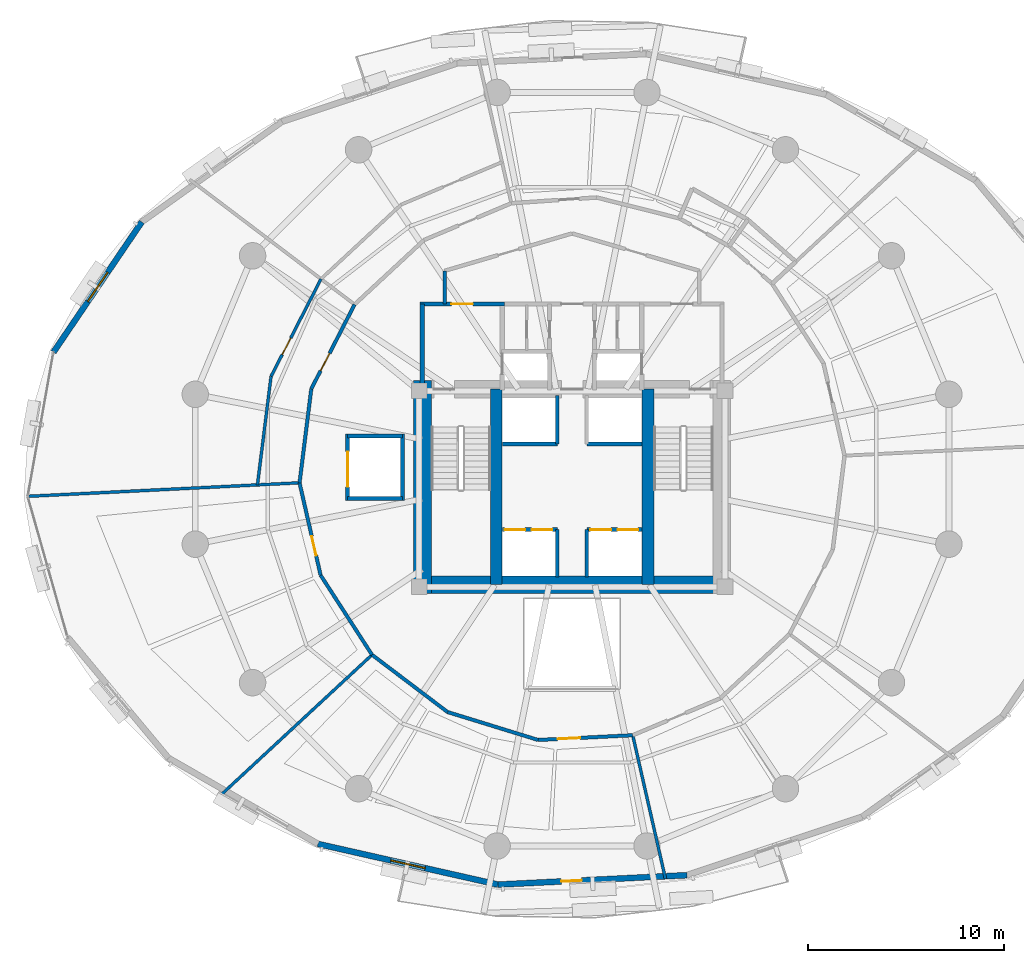
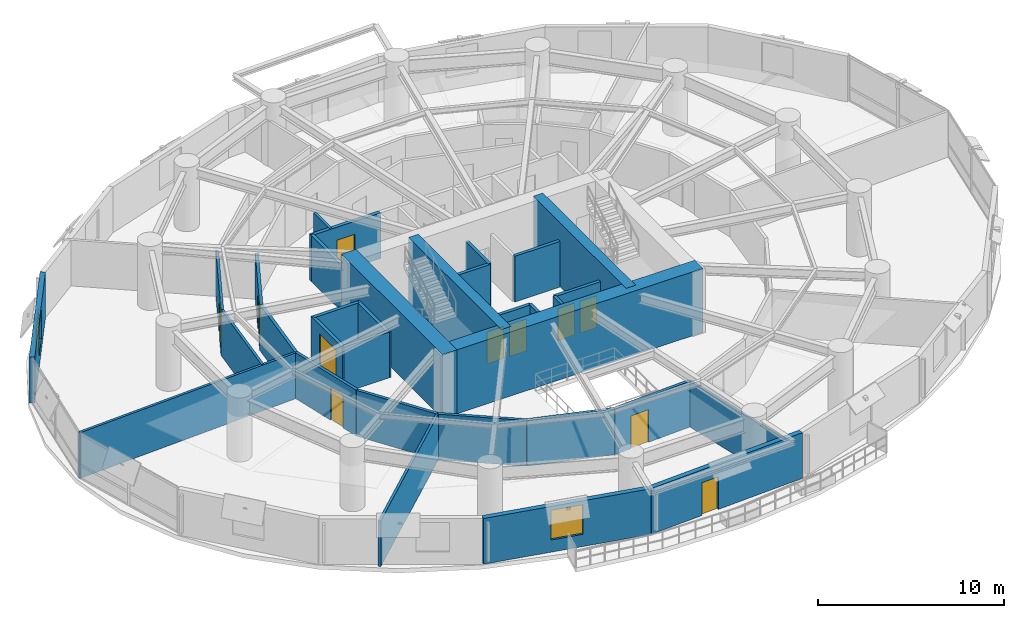
# One storey, part 10 of 16: 33 walls, 11 doors, 2 windows, 13 openings.
"""IFC4 building model written with IfcOpenShell, lengths in metres."""

from ifc_helpers import new_model, si_unit, direction, frame, frame_2d, origin, place, context, subcontext, project, spatial, rectangle, extrude, material, layer, layer_set, type_object, element, fill, save


model = new_model("IFC4")

# Units and contexts
model_context = context("Model", 3, precision=1e-05, world=origin(), true_north=direction((0.0, 1.0)))
body_context = subcontext(model_context, "Body", "Model", "MODEL_VIEW")
ifc_project = project(units=[si_unit("LENGTHUNIT", "METRE"), si_unit("AREAUNIT", "SQUARE_METRE"), si_unit("VOLUMEUNIT", "CUBIC_METRE"), si_unit("PLANEANGLEUNIT", "RADIAN"), si_unit("MASSUNIT", "GRAM", prefix="KILO"), si_unit("THERMODYNAMICTEMPERATUREUNIT", "KELVIN"), si_unit("POWERUNIT", "WATT")], contexts=[model_context])

# Site, building, storey
site_placement = place(None, origin())
site = spatial("IfcSite", under=ifc_project, at=site_placement, CompositionType="ELEMENT")
building_placement = place(site_placement, origin())
building = spatial("IfcBuilding", under=site, at=building_placement, Name="Ocrelia Relay Tower", CompositionType="ELEMENT")
storey_placement = place(building_placement, frame((0.0, 0.0, 42.60009765625)))
storey = spatial("IfcBuildingStorey", under=building, at=storey_placement, Name="L09", CompositionType="ELEMENT", Elevation=42.60009765625)

# Walls
ifc_material_1 = material(Name="Concrete C70/85", Category="concrete")
ifc_layer_1 = layer(ifc_material_1, 0.89990234375, Name="Concrete C70/85")
ifc_layer_set_1 = layer_set([ifc_layer_1], Name="Concrete C70/85")
wall_type_1 = type_object("IfcWallType", Name="CW-CORE-900", PredefinedType="SHEAR", material=ifc_layer_set_1)
wall_1_placement = place(storey_placement, frame((25.922119140625, 20.112060546875, 0.0), z_axis=(0.0, 0.0, 1.0), x_axis=(1.0, 0.0, 0.0)))
element("IfcWall", 1, at=wall_1_placement, inside=storey, type_object=wall_type_1, Name="L09 Core Shear Wall S", PredefinedType="SHEAR", context=body_context, shape_type="SweptSolid", body=[
    extrude(rectangle(XDim=16.165771484375, YDim=0.89990234375, at=frame_2d((8.0830078125, 0.0))), origin(), (0.0, 0.0, 1.0), 4.199951171875),
])
wall_2_placement = place(storey_placement, frame((26.3720703125, 19.662109375, 0.0), z_axis=(0.0, 0.0, 1.0), x_axis=(0.0, 1.0, 0.0)))
element("IfcWall", 2, at=wall_2_placement, inside=storey, type_object=wall_type_1, Name="L09 Core Shear Wall W", PredefinedType="SHEAR", context=body_context, shape_type="SweptSolid", body=[
    extrude(rectangle(XDim=10.8759765625, YDim=0.89990234375, at=frame_2d((5.43798828125, 0.0))), origin(), (0.0, 0.0, 1.0), 4.199951171875),
])
for number, where, z_axis, x_axis, name in (
    (3, (30.137939453125, 20.112060546875, 0.0), (0.0, 0.0, 1.0), (0.0, 1.0, 0.0), "L09 Core Shear Wall SPW"),
    (4, (37.8720703125, 20.112060546875, 0.0), (0.0, 0.0, 1.0), (0.0, 1.0, 0.0), "L09 Core Shear Wall SPE"),
):
    element("IfcWall", number, at=place(storey_placement, frame(where, z_axis=z_axis, x_axis=x_axis)), inside=storey, type_object=wall_type_1, Name=name, PredefinedType="SHEAR", context=body_context, shape_type="SweptSolid", body=[
        extrude(rectangle(XDim=9.975830078125, YDim=0.60009765625, at=frame_2d((4.98779296875, 0.0))), origin(), (0.0, 0.0, 1.0), 4.199951171875),
    ])
ifc_material_2 = material(Name="Gypsum Fireboard Partition EI60", Category="gypsum")
ifc_layer_2 = layer(ifc_material_2, 0.179931640625, Name="Gypsum Fireboard Partition EI60")
ifc_layer_set_2 = layer_set([ifc_layer_2], Name="Gypsum Fireboard Partition EI60")
wall_type_2 = type_object("IfcWallType", Name="W-CORR-EI60-180", PredefinedType="PARTITIONING", material=ifc_layer_set_2)
wall_3_placement = place(storey_placement, frame((27.5, 34.429931640625, 0.0), z_axis=(0.0, 0.0, 1.0), x_axis=(0.0, 1.0, 0.0)))
element("IfcWall", 5, at=wall_3_placement, inside=storey, type_object=wall_type_2, Name="L09 Smoke Lobby West Return", PredefinedType="PARTITIONING", context=body_context, shape_type="SweptSolid", body=[
    extrude(rectangle(XDim=1.69287109375, YDim=0.179931640625, at=frame_2d((0.846435546875, 0.0))), origin(), (0.0, 0.0, 1.0), 3.0),
])

# Wall, opening, door
wall_4_placement = place(storey_placement, frame((22.905029296875, 34.40625, 0.0), z_axis=(0.0, 0.0, 1.0), x_axis=(-0.45634125461, -0.889804843402, 0.0)))
wall_4 = element("IfcWall", 6, at=wall_4_placement, inside=storey, type_object=wall_type_2, Name="L09 Systems Office C Corridor Partition 1", PredefinedType="PARTITIONING", context=body_context, shape_type="SweptSolid", body=[
    extrude(rectangle(XDim=4.834228515625, YDim=0.179931640625, at=frame_2d((2.4169921875, 0.0))), origin(), (0.0, 0.0, 1.0), 3.0),
])
opening_1_placement = place(wall_4_placement, frame((2.80078125, 0.0, 0.0)))
opening_1 = element("IfcOpeningElement", 7, at=opening_1_placement, cuts=wall_4, Name="Opening D-RM100", PredefinedType="OPENING", context=body_context, shape_type="SweptSolid", body=[
    extrude(rectangle(XDim=1.0, YDim=2.14990234375, at=frame_2d((0.5, 1.074951171875))), frame((0.0, 0.10009765625, 0.0), z_axis=(0.0, -1.0, 0.0), x_axis=(1.0, 0.0, 0.0)), (0.0, 0.0, 1.0), 0.199951171875),
])
ifc_material_3 = material(Name="Acoustic oak veneer fire door", Category="wood")
door_type_1 = type_object("IfcDoorType", Name="DR-ROOM-FD60-1000", OperationType="NOTDEFINED", PredefinedType="DOOR", material=ifc_material_3)
door_1_placement = place(opening_1_placement, origin())
door_1 = element("IfcDoor", 8, at=door_1_placement, inside=storey, type_object=door_type_1, Name="L09 Systems Office C Entrance Door", OperationType="SINGLE_SWING_LEFT", OverallHeight=2.14990234375, OverallWidth=1.0, PredefinedType="DOOR", context=body_context, shape_type="SweptSolid", body=[
    extrude(rectangle(XDim=1.0, YDim=2.14990234375, at=frame_2d((0.5, 1.074951171875))), frame((0.0, 0.02490234375, 0.0), z_axis=(0.0, -1.0, 0.0), x_axis=(1.0, 0.0, 0.0)), (0.0, 0.0, 1.0), 0.050048828125),
])
fill(opening_1, door_1)

# Wall
wall_5_placement = place(storey_placement, frame((20.698974609375, 30.104736328125, 0.0), z_axis=(0.0, 0.0, 1.0), x_axis=(-0.124482228692, -0.992221837464, 0.0)))
element("IfcWall", 9, at=wall_5_placement, inside=storey, type_object=wall_type_2, Name="L09 Systems Office C Corridor Partition 2", PredefinedType="PARTITIONING", context=body_context, shape_type="SweptSolid", body=[
    extrude(rectangle(XDim=4.83447265625, YDim=0.179931640625, at=frame_2d((2.417236328125, 0.0))), origin(), (0.0, 0.0, 1.0), 3.0),
])

# Wall, opening, door
wall_6_placement = place(storey_placement, frame((20.09716796875, 25.307861328125, 0.0), z_axis=(0.0, 0.0, 1.0), x_axis=(0.222402444604, -0.974954949028, 0.0)))
wall_6 = element("IfcWall", 10, at=wall_6_placement, inside=storey, type_object=wall_type_2, Name="L09 Routing Office D Corridor Partition 1", PredefinedType="PARTITIONING", context=body_context, shape_type="SweptSolid", body=[
    extrude(rectangle(XDim=4.83447265625, YDim=0.179931640625, at=frame_2d((2.417236328125, 0.0))), origin(), (0.0, 0.0, 1.0), 3.0),
])
opening_2_placement = place(wall_6_placement, frame((2.80078125, 0.0, 0.0)))
opening_2 = element("IfcOpeningElement", 11, at=opening_2_placement, cuts=wall_6, Name="Opening D-RM100", PredefinedType="OPENING", context=body_context, shape_type="SweptSolid", body=[
    extrude(rectangle(XDim=1.0, YDim=2.14990234375, at=frame_2d((0.5, 1.074951171875))), frame((0.0, 0.10009765625, 0.0), z_axis=(0.0, -1.0, 0.0), x_axis=(1.0, 0.0, 0.0)), (0.0, 0.0, 1.0), 0.199951171875),
])
door_2_placement = place(opening_2_placement, origin())
door_2 = element("IfcDoor", 12, at=door_2_placement, inside=storey, type_object=door_type_1, Name="L09 Routing Office D Entrance Door", OperationType="SINGLE_SWING_LEFT", OverallHeight=2.14990234375, OverallWidth=1.0, PredefinedType="DOOR", context=body_context, shape_type="SweptSolid", body=[
    extrude(rectangle(XDim=1.0, YDim=2.14990234375, at=frame_2d((0.5, 1.074951171875))), frame((0.0, 0.02490234375, 0.0), z_axis=(0.0, -1.0, 0.0), x_axis=(1.0, 0.0, 0.0)), (0.0, 0.0, 1.0), 0.050048828125),
])
fill(opening_2, door_2)

# Walls
for number, where, z_axis, x_axis, name in (
    (13, (21.17236328125, 20.594482421875, 0.0), (0.0, 0.0, 1.0), (0.542438562589, -0.840095474227, 0.0), "L09 Routing Office D Corridor Partition 2"),
    (14, (23.794677734375, 16.533203125, 0.0), (0.0, 0.0, 1.0), (0.797063419799, -0.60389560755, 0.0), "L09 Colocation Data Hall A Corridor Partition 1"),
    (15, (27.64794921875, 13.61376953125, 0.0), (0.0, 0.0, 1.0), (0.95553518292, -0.294877117122, 0.0), "L09 Colocation Data Hall A Corridor Partition 2"),
):
    element("IfcWall", number, at=place(storey_placement, frame(where, z_axis=z_axis, x_axis=x_axis)), inside=storey, type_object=wall_type_2, Name=name, PredefinedType="PARTITIONING", context=body_context, shape_type="SweptSolid", body=[
        extrude(rectangle(XDim=4.834228515625, YDim=0.179931640625, at=frame_2d((2.4169921875, 0.0))), origin(), (0.0, 0.0, 1.0), 3.0),
    ])

# Wall, opening, door
wall_7_placement = place(storey_placement, frame((32.267333984375, 12.188232421875, 0.0), z_axis=(0.0, 0.0, 1.0), x_axis=(0.998762017283, 0.049743671286, 0.0)))
wall_7 = element("IfcWall", 16, at=wall_7_placement, inside=storey, type_object=wall_type_2, Name="L09 Colocation Data Hall A Corridor Partition 3", PredefinedType="PARTITIONING", context=body_context, shape_type="SweptSolid", body=[
    extrude(rectangle(XDim=4.83447265625, YDim=0.179931640625, at=frame_2d((2.417236328125, 0.0))), origin(), (0.0, 0.0, 1.0), 3.0),
])
opening_3_placement = place(wall_7_placement, frame((0.99609375, 0.0, 0.0)))
opening_3 = element("IfcOpeningElement", 17, at=opening_3_placement, cuts=wall_7, Name="Opening D-RM115", PredefinedType="OPENING", context=body_context, shape_type="SweptSolid", body=[
    extrude(rectangle(XDim=1.14990234375, YDim=2.14990234375, at=frame_2d((0.574951171875, 1.074951171875))), frame((0.0, 0.10009765625, 0.0), z_axis=(0.0, -1.0, 0.0), x_axis=(1.0, 0.0, 0.0)), (0.0, 0.0, 1.0), 0.199951171875),
])
ifc_material_4 = material(Name="Wide acoustic oak veneer fire door", Category="wood")
door_type_2 = type_object("IfcDoorType", Name="DR-ROOM-1150", OperationType="NOTDEFINED", PredefinedType="DOOR", material=ifc_material_4)
door_3_placement = place(opening_3_placement, origin())
door_3 = element("IfcDoor", 18, at=door_3_placement, inside=storey, type_object=door_type_2, Name="L09 Colocation Data Hall A Entrance Door", OperationType="SINGLE_SWING_RIGHT", OverallHeight=2.14990234375, OverallWidth=1.14990234375, PredefinedType="DOOR", context=body_context, shape_type="SweptSolid", body=[
    extrude(rectangle(XDim=1.14990234375, YDim=2.14990234375, at=frame_2d((0.574951171875, 1.074951171875))), frame((0.0, 0.02490234375, 0.0), z_axis=(0.0, -1.0, 0.0), x_axis=(1.0, 0.0, 0.0)), (0.0, 0.0, 1.0), 0.050048828125),
])
fill(opening_3, door_3)

# Wall, opening, window
ifc_material_5 = material(Name="Precast concrete C40/50 with oxide terracotta", Category="masonry")
ifc_layer_3 = layer(ifc_material_5, 0.300048828125, Name="Precast concrete C40/50 with oxide terracotta")
ifc_layer_set_3 = layer_set([ifc_layer_3], Name="Precast concrete C40/50 with oxide terracotta")
wall_type_3 = type_object("IfcWallType", Name="W-EXT-TERR-300", PredefinedType="SOLIDWALL", material=ifc_layer_set_3)
wall_8_placement = place(storey_placement, frame((12.049560546875, 38.615478515625, 0.0), z_axis=(0.0, 0.0, 1.0), x_axis=(-0.561354786865, -0.827575255348, 0.0)))
wall_8 = element("IfcWall", 19, at=wall_8_placement, inside=storey, type_object=wall_type_3, Name="L09 Oxide Terracotta Facade Wall 08", PredefinedType="SOLIDWALL", context=body_context, shape_type="SweptSolid", body=[
    extrude(rectangle(XDim=8.021484375, YDim=0.300048828125, at=frame_2d((4.0107421875, 0.0))), origin(), (0.0, 0.0, 1.0), 3.0),
])
opening_4_placement = place(wall_8_placement, frame((3.111083984375, 0.0, 0.800048828125)))
opening_4 = element("IfcOpeningElement", 20, at=opening_4_placement, cuts=wall_8, Name="Opening W-02", PredefinedType="OPENING", context=body_context, shape_type="SweptSolid", body=[
    extrude(rectangle(XDim=1.800048828125, YDim=1.949951171875, at=frame_2d((0.89990234375, 0.97509765625))), frame((0.0, 0.16015625, 0.0), z_axis=(0.0, -1.0, 0.0), x_axis=(1.0, 0.0, 0.0)), (0.0, 0.0, 1.0), 0.320068359375),
])
ifc_material_6 = material(Name="Clear double-glazed low-E glass", Category="glass")
window_type = type_object("IfcWindowType", Name="WIN-Z1-1800x2100", PartitioningType="DOUBLE_PANEL_VERTICAL", PredefinedType="WINDOW", material=ifc_material_6)
window_1_placement = place(opening_4_placement, origin())
window_1 = element("IfcWindow", 21, at=window_1_placement, inside=storey, type_object=window_type, Name="L09 Facade Module Window 08", OverallHeight=1.949951171875, OverallWidth=1.800048828125, PartitioningType="SINGLE_PANEL", PredefinedType="WINDOW", context=body_context, shape_type="SweptSolid", body=[
    extrude(rectangle(XDim=1.800048828125, YDim=1.949951171875, at=frame_2d((0.89990234375, 0.97509765625))), frame((0.0, 0.030029296875, 0.0), z_axis=(0.0, -1.0, 0.0), x_axis=(1.0, 0.0, 0.0)), (0.0, 0.0, 1.0), 0.06005859375),
])
fill(opening_4, window_1)

wall_9_placement = place(storey_placement, frame((21.034423828125, 6.88525390625, 0.0), z_axis=(0.0, 0.0, 1.0), x_axis=(0.975413687515, -0.22038180099, 0.0)))
wall_9 = element("IfcWall", 22, at=wall_9_placement, inside=storey, type_object=wall_type_3, Name="L09 Oxide Terracotta Facade Wall 13", PredefinedType="SOLIDWALL", context=body_context, shape_type="SweptSolid", body=[
    extrude(rectangle(XDim=9.418701171875, YDim=0.300048828125, at=frame_2d((4.70947265625, 0.0))), origin(), (0.0, 0.0, 1.0), 3.0),
])
opening_5_placement = place(wall_9_placement, frame((3.80908203125, 0.0, 0.800048828125)))
opening_5 = element("IfcOpeningElement", 23, at=opening_5_placement, cuts=wall_9, Name="Opening W-02", PredefinedType="OPENING", context=body_context, shape_type="SweptSolid", body=[
    extrude(rectangle(XDim=1.800048828125, YDim=1.949951171875, at=frame_2d((0.89990234375, 0.97509765625))), frame((0.0, 0.16015625, 0.0), z_axis=(0.0, -1.0, 0.0), x_axis=(1.0, 0.0, 0.0)), (0.0, 0.0, 1.0), 0.320068359375),
])
window_2_placement = place(opening_5_placement, origin())
window_2 = element("IfcWindow", 24, at=window_2_placement, inside=storey, type_object=window_type, Name="L09 Facade Module Window 13", OverallHeight=1.949951171875, OverallWidth=1.800048828125, PartitioningType="SINGLE_PANEL", PredefinedType="WINDOW", context=body_context, shape_type="SweptSolid", body=[
    extrude(rectangle(XDim=1.800048828125, YDim=1.949951171875, at=frame_2d((0.89990234375, 0.97509765625))), frame((0.0, 0.030029296875, 0.0), z_axis=(0.0, -1.0, 0.0), x_axis=(1.0, 0.0, 0.0)), (0.0, 0.0, 1.0), 0.06005859375),
])
fill(opening_5, window_2)

# Wall, opening, door
wall_10_placement = place(storey_placement, frame((30.221435546875, 4.8095703125, 0.0), z_axis=(0.0, 0.0, 1.0), x_axis=(0.998763538051, 0.049713127647, 0.0)))
wall_10 = element("IfcWall", 25, at=wall_10_placement, inside=storey, type_object=wall_type_3, Name="L09 Oxide Terracotta Facade Wall 14", PredefinedType="SOLIDWALL", context=body_context, shape_type="SweptSolid", body=[
    extrude(rectangle(XDim=9.655029296875, YDim=0.300048828125, at=frame_2d((4.82763671875, 0.0))), origin(), (0.0, 0.0, 1.0), 3.0),
])
opening_6_placement = place(wall_10_placement, frame((3.22998046875, 0.0, 0.0)))
opening_6 = element("IfcOpeningElement", 26, at=opening_6_placement, cuts=wall_10, Name="Opening DB-105", PredefinedType="OPENING", context=body_context, shape_type="SweptSolid", body=[
    extrude(rectangle(XDim=1.050048828125, YDim=2.14990234375, at=frame_2d((0.52490234375, 1.074951171875))), frame((0.0, 0.16015625, 0.0), z_axis=(0.0, -1.0, 0.0), x_axis=(1.0, 0.0, 0.0)), (0.0, 0.0, 1.0), 0.320068359375),
])
ifc_material_7 = material(Name="Thermally broken aluminium and clear glass", Category="aluminium")
door_type_3 = type_object("IfcDoorType", Name="DR-BALC-1050", OperationType="NOTDEFINED", PredefinedType="DOOR", material=ifc_material_7)
door_4_placement = place(opening_6_placement, origin())
door_4 = element("IfcDoor", 27, at=door_4_placement, inside=storey, type_object=door_type_3, Name="L09 Planted Loggia Balcony Door B2", OperationType="SINGLE_SWING_LEFT", OverallHeight=2.14990234375, OverallWidth=1.050048828125, PredefinedType="DOOR", context=body_context, shape_type="SweptSolid", body=[
    extrude(rectangle(XDim=1.050048828125, YDim=2.14990234375, at=frame_2d((0.52490234375, 1.074951171875))), frame((0.0, 0.02490234375, 0.0), z_axis=(0.0, -1.0, 0.0), x_axis=(1.0, 0.0, 0.0)), (0.0, 0.0, 1.0), 0.050048828125),
])
fill(opening_6, door_4)

# Wall
ifc_material_8 = material(Name="Concrete C50/60", Category="concrete")
ifc_layer_4 = layer(ifc_material_8, 0.219970703125, Name="Concrete C50/60")
ifc_layer_set_4 = layer_set([ifc_layer_4], Name="Concrete C50/60")
wall_type_4 = type_object("IfcWallType", Name="W-FFL-EI120-220", PredefinedType="SOLIDWALL", material=ifc_layer_set_4)
wall_11_placement = place(storey_placement, frame((26.35009765625, 30.050048828125, 0.0), z_axis=(0.0, 0.0, 1.0), x_axis=(0.0, 1.0, 0.0)))
element("IfcWall", 28, at=wall_11_placement, inside=storey, type_object=wall_type_4, Name="L09 W Fire Service Lift Lobby West Wall", PredefinedType="SOLIDWALL", context=body_context, shape_type="SweptSolid", body=[
    extrude(rectangle(XDim=4.3798828125, YDim=0.219970703125, at=frame_2d((2.18994140625, 0.0))), origin(), (0.0, 0.0, 1.0), 3.0),
])

# Wall, opening, door
wall_12_placement = place(storey_placement, frame((26.239990234375, 34.429931640625, 0.0), z_axis=(0.0, 0.0, 1.0), x_axis=(1.0, 0.0, 0.0)))
wall_12 = element("IfcWall", 29, at=wall_12_placement, inside=storey, type_object=wall_type_4, Name="L09 W Fire Service Lift Lobby North Wall", PredefinedType="SOLIDWALL", context=body_context, shape_type="SweptSolid", body=[
    extrude(rectangle(XDim=4.31005859375, YDim=0.219970703125, at=frame_2d((2.155029296875, 0.0))), origin(), (0.0, 0.0, 1.0), 3.0),
])
opening_7_placement = place(wall_12_placement, frame((1.60009765625, 0.0, 0.0)))
opening_7 = element("IfcOpeningElement", 30, at=opening_7_placement, cuts=wall_12, Name="Opening D-FD60", PredefinedType="OPENING", context=body_context, shape_type="SweptSolid", body=[
    extrude(rectangle(XDim=1.10009765625, YDim=2.14990234375, at=frame_2d((0.550048828125, 1.074951171875))), frame((0.0, 0.1201171875, 0.0), z_axis=(0.0, -1.0, 0.0), x_axis=(1.0, 0.0, 0.0)), (0.0, 0.0, 1.0), 0.239990234375),
])
ifc_material_9 = material(Name="Timber-core 60-min acoustic fire door", Category="wood")
door_type_4 = type_object("IfcDoorType", Name="DR-LOBBY-FD60-1100", OperationType="NOTDEFINED", PredefinedType="DOOR", material=ifc_material_9)
door_5_placement = place(opening_7_placement, origin())
door_5 = element("IfcDoor", 31, at=door_5_placement, inside=storey, type_object=door_type_4, Name="L09 W Fire Service Lift Lobby Exit Door", OperationType="SINGLE_SWING_LEFT", OverallHeight=2.14990234375, OverallWidth=1.10009765625, PredefinedType="DOOR", context=body_context, shape_type="SweptSolid", body=[
    extrude(rectangle(XDim=1.10009765625, YDim=2.14990234375, at=frame_2d((0.550048828125, 1.074951171875))), frame((0.0, 0.02490234375, 0.0), z_axis=(0.0, -1.0, 0.0), x_axis=(1.0, 0.0, 0.0)), (0.0, 0.0, 1.0), 0.050048828125),
])
fill(opening_7, door_5)

# Wall
ifc_material_10 = material(Name="Acoustic Fireboard Partition EI60", Category="gypsum")
ifc_layer_5 = layer(ifc_material_10, 0.14990234375, Name="Acoustic Fireboard Partition EI60")
ifc_layer_set_5 = layer_set([ifc_layer_5], Name="Acoustic Fireboard Partition EI60")
wall_type_5 = type_object("IfcWallType", Name="W-PART-150", PredefinedType="PARTITIONING", material=ifc_layer_set_5)
wall_13_placement = place(storey_placement, frame((20.09716796875, 25.307861328125, 0.0), z_axis=(0.0, 0.0, 1.0), x_axis=(-0.99876293138, -0.049725314484, 0.0)))
element("IfcWall", 32, at=wall_13_placement, inside=storey, type_object=wall_type_5, Name="L09 Systems Office C Radial Partition", PredefinedType="PARTITIONING", context=body_context, shape_type="SweptSolid", body=[
    extrude(rectangle(XDim=13.8798828125, YDim=0.14990234375, at=frame_2d((6.93994140625, 0.0))), origin(), (0.0, 0.0, 1.0), 3.0),
])

# Wall, opening, door
wall_14_placement = place(storey_placement, frame((21.19140625, 35.70458984375, 0.0), z_axis=(0.0, 0.0, 1.0), x_axis=(-0.456341514091, -0.889804710326, 0.0)))
wall_14 = element("IfcWall", 33, at=wall_14_placement, inside=storey, type_object=wall_type_5, Name="L09 Perimeter Systems Office C Mid-Ring Partition 1", PredefinedType="PARTITIONING", context=body_context, shape_type="SweptSolid", body=[
    extrude(rectangle(XDim=5.5810546875, YDim=0.14990234375, at=frame_2d((2.79052734375, 0.0))), origin(), (0.0, 0.0, 1.0), 3.0),
])
opening_8_placement = place(wall_14_placement, frame((3.38330078125, 0.0, 0.0)))
opening_8 = element("IfcOpeningElement", 34, at=opening_8_placement, cuts=wall_14, Name="Opening D-RM95", PredefinedType="OPENING", context=body_context, shape_type="SweptSolid", body=[
    extrude(rectangle(XDim=0.949951171875, YDim=2.14990234375, at=frame_2d((0.47509765625, 1.074951171875))), frame((0.0, 0.0849609375, 0.0), z_axis=(0.0, -1.0, 0.0), x_axis=(1.0, 0.0, 0.0)), (0.0, 0.0, 1.0), 0.169921875),
])
door_type_5 = type_object("IfcDoorType", Name="DR-ROOM-950", OperationType="NOTDEFINED", PredefinedType="DOOR", material=ifc_material_3)
door_6_placement = place(opening_8_placement, origin())
door_6 = element("IfcDoor", 35, at=door_6_placement, inside=storey, type_object=door_type_5, Name="L09 Perimeter Systems Office C Connecting Door", OperationType="SINGLE_SWING_RIGHT", OverallHeight=2.14990234375, OverallWidth=0.949951171875, PredefinedType="DOOR", context=body_context, shape_type="SweptSolid", body=[
    extrude(rectangle(XDim=0.949951171875, YDim=2.14990234375, at=frame_2d((0.47509765625, 1.074951171875))), frame((0.0, 0.02490234375, 0.0), z_axis=(0.0, -1.0, 0.0), x_axis=(1.0, 0.0, 0.0)), (0.0, 0.0, 1.0), 0.050048828125),
])
fill(opening_8, door_6)

# Walls
wall_15_placement = place(storey_placement, frame((18.64453125, 30.738525390625, 0.0), z_axis=(0.0, 0.0, 1.0), x_axis=(-0.12445467599, -0.992225293784, 0.0)))
element("IfcWall", 36, at=wall_15_placement, inside=storey, type_object=wall_type_5, Name="L09 Perimeter Systems Office C Mid-Ring Partition 2", PredefinedType="PARTITIONING", context=body_context, shape_type="SweptSolid", body=[
    extrude(rectangle(XDim=5.5810546875, YDim=0.14990234375, at=frame_2d((2.79052734375, 0.0))), origin(), (0.0, 0.0, 1.0), 3.0),
])
wall_16_placement = place(storey_placement, frame((23.794677734375, 16.533203125, 0.0), z_axis=(0.0, 0.0, 1.0), x_axis=(-0.73313955438, -0.680078226238, 0.0)))
element("IfcWall", 37, at=wall_16_placement, inside=storey, type_object=wall_type_5, Name="L09 Routing Office D Radial Partition", PredefinedType="PARTITIONING", context=body_context, shape_type="SweptSolid", body=[
    extrude(rectangle(XDim=10.55029296875, YDim=0.14990234375, at=frame_2d((5.275146484375, 0.0))), origin(), (0.0, 0.0, 1.0), 3.0),
])
wall_17_placement = place(storey_placement, frame((37.095703125, 12.4287109375, 0.0), z_axis=(0.0, 0.0, 1.0), x_axis=(0.222400432179, -0.974955408091, 0.0)))
element("IfcWall", 38, at=wall_17_placement, inside=storey, type_object=wall_type_5, Name="L09 Colocation Data Hall A Radial Partition", PredefinedType="PARTITIONING", context=body_context, shape_type="SweptSolid", body=[
    extrude(rectangle(XDim=7.51416015625, YDim=0.14990234375, at=frame_2d((3.757080078125, 0.0))), origin(), (0.0, 0.0, 1.0), 3.0),
])

# Wall, openings, doors
ifc_layer_6 = layer(ifc_material_8, 0.199951171875, Name="Concrete C50/60")
ifc_layer_set_6 = layer_set([ifc_layer_6], Name="Concrete C50/60")
wall_type_6 = type_object("IfcWallType", Name="W-SHAFT-EI120-200", PredefinedType="SOLIDWALL", material=ifc_layer_set_6)
wall_18_placement = place(storey_placement, frame((30.43994140625, 22.919921875, 0.0), z_axis=(0.0, 0.0, 1.0), x_axis=(1.0, 0.0, 0.0)))
wall_18 = element("IfcWall", 39, at=wall_18_placement, inside=storey, type_object=wall_type_6, Name="L09 Low-Rise Lift Hoistway Wall W", PredefinedType="SOLIDWALL", context=body_context, shape_type="SweptSolid", body=[
    extrude(rectangle(XDim=2.81005859375, YDim=0.199951171875, at=frame_2d((1.405029296875, 0.0))), origin(), (0.0, 0.0, 1.0), 3.0),
])
opening_9_placement = place(wall_18_placement, frame((0.1201171875, 0.0, 0.0)))
opening_9 = element("IfcOpeningElement", 40, at=opening_9_placement, cuts=wall_18, Name="Opening LD-PL1", PredefinedType="OPENING", context=body_context, shape_type="SweptSolid", body=[
    extrude(rectangle(XDim=1.050048828125, YDim=2.10009765625, at=frame_2d((0.52490234375, 1.050048828125))), frame((0.0, 0.10986328125, 0.0), z_axis=(0.0, -1.0, 0.0), x_axis=(1.0, 0.0, 0.0)), (0.0, 0.0, 1.0), 0.219970703125),
])
opening_10_placement = place(wall_18_placement, frame((1.5, 0.0, 0.0)))
opening_10 = element("IfcOpeningElement", 41, at=opening_10_placement, cuts=wall_18, Name="Opening LD-PL2", PredefinedType="OPENING", context=body_context, shape_type="SweptSolid", body=[
    extrude(rectangle(XDim=1.050048828125, YDim=2.10009765625, at=frame_2d((0.52490234375, 1.050048828125))), frame((0.0, 0.10986328125, 0.0), z_axis=(0.0, -1.0, 0.0), x_axis=(1.0, 0.0, 0.0)), (0.0, 0.0, 1.0), 0.219970703125),
])
ifc_material_11 = material(Name="Brushed stainless steel S355 lift landing door", Category="steel")
door_type_6 = type_object("IfcDoorType", Name="DR-LIFT-LAND-1050", OperationType="DOUBLE_DOOR_SLIDING", PredefinedType="USERDEFINED", material=ifc_material_11)
door_7_placement = place(opening_9_placement, origin())
door_7 = element("IfcDoor", 42, at=door_7_placement, inside=storey, type_object=door_type_6, Name="L09 Passenger Lift PL1 Sliding Landing Door", ObjectType="LANDING DOOR", OperationType="DOUBLE_DOOR_SLIDING", OverallHeight=2.10009765625, OverallWidth=1.050048828125, PredefinedType="USERDEFINED", context=body_context, shape_type="SweptSolid", body=[
    extrude(rectangle(XDim=1.050048828125, YDim=2.10009765625, at=frame_2d((0.52490234375, 1.050048828125))), frame((0.0, 0.02490234375, 0.0), z_axis=(0.0, -1.0, 0.0), x_axis=(1.0, 0.0, 0.0)), (0.0, 0.0, 1.0), 0.050048828125),
])
fill(opening_9, door_7)
door_8_placement = place(opening_10_placement, origin())
door_8 = element("IfcDoor", 43, at=door_8_placement, inside=storey, type_object=door_type_6, Name="L09 Passenger Lift PL2 Sliding Landing Door", ObjectType="LANDING DOOR", OperationType="DOUBLE_DOOR_SLIDING", OverallHeight=2.10009765625, OverallWidth=1.050048828125, PredefinedType="USERDEFINED", context=body_context, shape_type="SweptSolid", body=[
    extrude(rectangle(XDim=1.050048828125, YDim=2.10009765625, at=frame_2d((0.52490234375, 1.050048828125))), frame((0.0, 0.02490234375, 0.0), z_axis=(0.0, -1.0, 0.0), x_axis=(1.0, 0.0, 0.0)), (0.0, 0.0, 1.0), 0.050048828125),
])
fill(opening_10, door_8)

# Wall
wall_19_placement = place(storey_placement, frame((33.25, 20.5, 0.0), z_axis=(0.0, 0.0, 1.0), x_axis=(0.0, 1.0, 0.0)))
element("IfcWall", 44, at=wall_19_placement, inside=storey, type_object=wall_type_6, Name="L09 Low-Rise Lift Throat Wall W", PredefinedType="SOLIDWALL", context=body_context, shape_type="SweptSolid", body=[
    extrude(rectangle(XDim=2.419921875, YDim=0.179931640625, at=frame_2d((1.2099609375, 0.0))), origin(), (0.0, 0.0, 1.0), 3.0),
])

# Wall, openings, doors
wall_20_placement = place(storey_placement, frame((34.75, 22.919921875, 0.0), z_axis=(0.0, 0.0, 1.0), x_axis=(1.0, 0.0, 0.0)))
wall_20 = element("IfcWall", 45, at=wall_20_placement, inside=storey, type_object=wall_type_6, Name="L09 Low-Rise Lift Hoistway Wall E", PredefinedType="SOLIDWALL", context=body_context, shape_type="SweptSolid", body=[
    extrude(rectangle(XDim=2.81005859375, YDim=0.199951171875, at=frame_2d((1.405029296875, 0.0))), origin(), (0.0, 0.0, 1.0), 3.0),
])
opening_11_placement = place(wall_20_placement, frame((0.18994140625, 0.0, 0.0)))
opening_11 = element("IfcOpeningElement", 46, at=opening_11_placement, cuts=wall_20, Name="Opening LD-PL3", PredefinedType="OPENING", context=body_context, shape_type="SweptSolid", body=[
    extrude(rectangle(XDim=1.050048828125, YDim=2.10009765625, at=frame_2d((0.52490234375, 1.050048828125))), frame((0.0, 0.10986328125, 0.0), z_axis=(0.0, -1.0, 0.0), x_axis=(1.0, 0.0, 0.0)), (0.0, 0.0, 1.0), 0.219970703125),
])
opening_12_placement = place(wall_20_placement, frame((1.570068359375, 0.0, 0.0)))
opening_12 = element("IfcOpeningElement", 47, at=opening_12_placement, cuts=wall_20, Name="Opening LD-PL4", PredefinedType="OPENING", context=body_context, shape_type="SweptSolid", body=[
    extrude(rectangle(XDim=1.050048828125, YDim=2.10009765625, at=frame_2d((0.52490234375, 1.050048828125))), frame((0.0, 0.10986328125, 0.0), z_axis=(0.0, -1.0, 0.0), x_axis=(1.0, 0.0, 0.0)), (0.0, 0.0, 1.0), 0.219970703125),
])
door_9_placement = place(opening_11_placement, origin())
door_9 = element("IfcDoor", 48, at=door_9_placement, inside=storey, type_object=door_type_6, Name="L09 Passenger Lift PL3 Sliding Landing Door", ObjectType="LANDING DOOR", OperationType="DOUBLE_DOOR_SLIDING", OverallHeight=2.10009765625, OverallWidth=1.050048828125, PredefinedType="USERDEFINED", context=body_context, shape_type="SweptSolid", body=[
    extrude(rectangle(XDim=1.050048828125, YDim=2.10009765625, at=frame_2d((0.52490234375, 1.050048828125))), frame((0.0, 0.02490234375, 0.0), z_axis=(0.0, -1.0, 0.0), x_axis=(1.0, 0.0, 0.0)), (0.0, 0.0, 1.0), 0.050048828125),
])
fill(opening_11, door_9)
door_10_placement = place(opening_12_placement, origin())
door_10 = element("IfcDoor", 49, at=door_10_placement, inside=storey, type_object=door_type_6, Name="L09 Passenger Lift PL4 Sliding Landing Door", ObjectType="LANDING DOOR", OperationType="DOUBLE_DOOR_SLIDING", OverallHeight=2.10009765625, OverallWidth=1.050048828125, PredefinedType="USERDEFINED", context=body_context, shape_type="SweptSolid", body=[
    extrude(rectangle(XDim=1.050048828125, YDim=2.10009765625, at=frame_2d((0.52490234375, 1.050048828125))), frame((0.0, 0.02490234375, 0.0), z_axis=(0.0, -1.0, 0.0), x_axis=(1.0, 0.0, 0.0)), (0.0, 0.0, 1.0), 0.050048828125),
])
fill(opening_12, door_10)

# Walls
wall_21_placement = place(storey_placement, frame((34.75, 20.5, 0.0), z_axis=(0.0, 0.0, 1.0), x_axis=(0.0, 1.0, 0.0)))
element("IfcWall", 50, at=wall_21_placement, inside=storey, type_object=wall_type_6, Name="L09 Low-Rise Lift Throat Wall E", PredefinedType="SOLIDWALL", context=body_context, shape_type="SweptSolid", body=[
    extrude(rectangle(XDim=2.419921875, YDim=0.179931640625, at=frame_2d((1.2099609375, 0.0))), origin(), (0.0, 0.0, 1.0), 3.0),
])
wall_22_placement = place(storey_placement, frame((30.43994140625, 27.280029296875, 0.0), z_axis=(0.0, 0.0, 1.0), x_axis=(1.0, 0.0, 0.0)))
element("IfcWall", 51, at=wall_22_placement, inside=storey, type_object=wall_type_6, Name="L09 High-Rise Lift Hoistway Wall W", PredefinedType="SOLIDWALL", context=body_context, shape_type="SweptSolid", body=[
    extrude(rectangle(XDim=2.81005859375, YDim=0.199951171875, at=frame_2d((1.405029296875, 0.0))), origin(), (0.0, 0.0, 1.0), 3.0),
])
wall_23_placement = place(storey_placement, frame((33.25, 27.280029296875, 0.0), z_axis=(0.0, 0.0, 1.0), x_axis=(0.0, 1.0, 0.0)))
element("IfcWall", 52, at=wall_23_placement, inside=storey, type_object=wall_type_6, Name="L09 High-Rise Lift Throat Wall W", PredefinedType="SOLIDWALL", context=body_context, shape_type="SweptSolid", body=[
    extrude(rectangle(XDim=2.469970703125, YDim=0.179931640625, at=frame_2d((1.23486328125, 0.0))), origin(), (0.0, 0.0, 1.0), 3.0),
])
wall_24_placement = place(storey_placement, frame((34.75, 27.280029296875, 0.0), z_axis=(0.0, 0.0, 1.0), x_axis=(1.0, 0.0, 0.0)))
element("IfcWall", 53, at=wall_24_placement, inside=storey, type_object=wall_type_6, Name="L09 High-Rise Lift Hoistway Wall E", PredefinedType="SOLIDWALL", context=body_context, shape_type="SweptSolid", body=[
    extrude(rectangle(XDim=2.81005859375, YDim=0.199951171875, at=frame_2d((1.405029296875, 0.0))), origin(), (0.0, 0.0, 1.0), 3.0),
])

# Wall, opening, door
wall_25_placement = place(storey_placement, frame((22.550048828125, 24.39990234375, 0.0), z_axis=(0.0, 0.0, 1.0), x_axis=(0.0, 1.0, 0.0)))
wall_25 = element("IfcWall", 54, at=wall_25_placement, inside=storey, type_object=wall_type_6, Name="L09 Goods Lift Shaft West Wall", PredefinedType="SOLIDWALL", context=body_context, shape_type="SweptSolid", body=[
    extrude(rectangle(XDim=3.400146484375, YDim=0.199951171875, at=frame_2d((1.7001953125, 0.0))), origin(), (0.0, 0.0, 1.0), 3.0),
])
opening_13_placement = place(wall_25_placement, frame((0.699951171875, 0.0, 0.0)))
opening_13 = element("IfcOpeningElement", 55, at=opening_13_placement, cuts=wall_25, Name="Opening LD-GL1", PredefinedType="OPENING", context=body_context, shape_type="SweptSolid", body=[
    extrude(rectangle(XDim=1.800048828125, YDim=2.39990234375, at=frame_2d((0.89990234375, 1.199951171875))), frame((0.0, 0.10986328125, 0.0), z_axis=(0.0, -1.0, 0.0), x_axis=(1.0, 0.0, 0.0)), (0.0, 0.0, 1.0), 0.219970703125),
])
ifc_material_12 = material(Name="Heavy-duty stainless steel S355 goods landing door", Category="steel")
door_type_7 = type_object("IfcDoorType", Name="DR-GOODS-LAND-1800", OperationType="DOUBLE_DOOR_SLIDING", PredefinedType="USERDEFINED", material=ifc_material_12)
door_11_placement = place(opening_13_placement, origin())
door_11 = element("IfcDoor", 56, at=door_11_placement, inside=storey, type_object=door_type_7, Name="L09 Goods Lift GL1 Sliding Landing Door", ObjectType="LANDING DOOR", OperationType="DOUBLE_DOOR_SLIDING", OverallHeight=2.39990234375, OverallWidth=1.800048828125, PredefinedType="USERDEFINED", context=body_context, shape_type="SweptSolid", body=[
    extrude(rectangle(XDim=1.800048828125, YDim=2.39990234375, at=frame_2d((0.89990234375, 1.199951171875))), frame((0.0, 0.02490234375, 0.0), z_axis=(0.0, -1.0, 0.0), x_axis=(1.0, 0.0, 0.0)), (0.0, 0.0, 1.0), 0.050048828125),
])
fill(opening_13, door_11)

# Walls
wall_26_placement = place(storey_placement, frame((25.35009765625, 24.39990234375, 0.0), z_axis=(0.0, 0.0, 1.0), x_axis=(0.0, 1.0, 0.0)))
element("IfcWall", 57, at=wall_26_placement, inside=storey, type_object=wall_type_6, Name="L09 Goods Lift Shaft E Wall", PredefinedType="SOLIDWALL", context=body_context, shape_type="SweptSolid", body=[
    extrude(rectangle(XDim=3.400146484375, YDim=0.199951171875, at=frame_2d((1.7001953125, 0.0))), origin(), (0.0, 0.0, 1.0), 3.0),
])
for number, where, z_axis, x_axis, name in (
    (58, (22.550048828125, 24.5, 0.0), (0.0, 0.0, 1.0), (1.0, 0.0, 0.0), "L09 Goods Lift Shaft S Wall"),
    (59, (22.550048828125, 27.699951171875, 0.0), (0.0, 0.0, 1.0), (1.0, 0.0, 0.0), "L09 Goods Lift Shaft N Wall"),
):
    element("IfcWall", number, at=place(storey_placement, frame(where, z_axis=z_axis, x_axis=x_axis)), inside=storey, type_object=wall_type_6, Name=name, PredefinedType="SOLIDWALL", context=body_context, shape_type="SweptSolid", body=[
        extrude(rectangle(XDim=2.800048828125, YDim=0.199951171875, at=frame_2d((1.39990234375, 0.0))), origin(), (0.0, 0.0, 1.0), 3.0),
    ])

save(model, "model.ifc")
